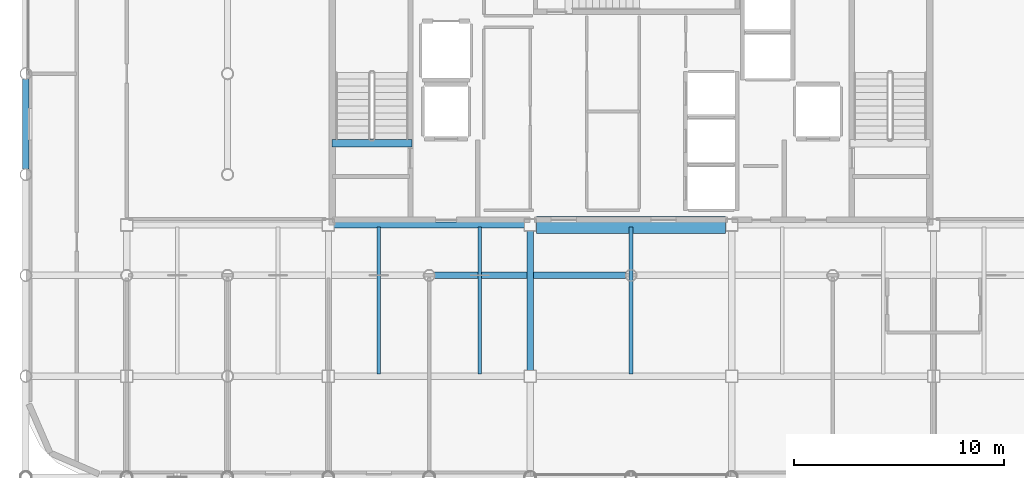
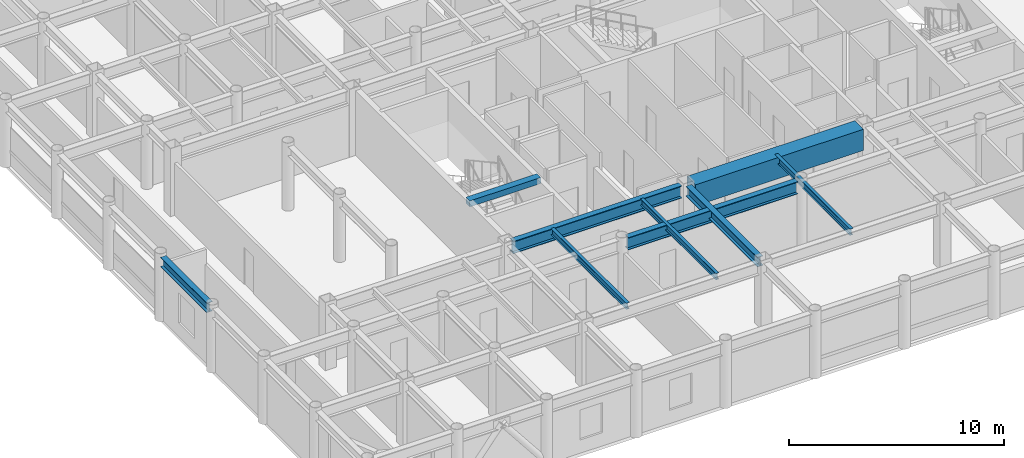
# One storey, part 5 of 22: 9 beams.
"""IFC4 building model written with IfcOpenShell, lengths in metres."""

import ifcopenshell
import ifcopenshell.guid

model = None  # the IFC model being written
_history = None  # IfcOwnerHistory: only IFC2X3 demands one
_inside = {}  # id of a spatial element -> (the spatial element, [elements in it])
_under = {}  # id of a project, library or spatial element -> (it, [spatial elements below it])
_declared = {}  # id of a project -> (the project, [libraries it declares])
_typed = {}  # id of a type object -> (the type object, [elements of that type])
_made_of = {}  # id of a material, layer set ... -> (it, [elements and type objects made of it])


def new_model(schema):
    """Start an empty IFC model of exactly this schema.

    Asked for "IFC4X3", IfcOpenShell would pick the latest addendum, in which some entities
    have other attributes; the version numbers below select the first issue.
    IFC2X3 requires an IfcOwnerHistory on every rooted entity: one is made here for all.
    """
    global model, _history
    if schema == "IFC4X3":
        model = ifcopenshell.file(schema_version=(4, 3, 0, 0))
    else:
        model = ifcopenshell.file(schema=schema)
    _inside.clear()
    _under.clear()
    _declared.clear()
    _typed.clear()
    _made_of.clear()
    _history = None
    if model.schema == "IFC2X3":
        org = make("IfcOrganization", Name="unknown")
        user = make(
            "IfcPersonAndOrganization",
            ThePerson=make("IfcPerson", FamilyName="unknown"),
            TheOrganization=org,
        )
        app = make(
            "IfcApplication",
            ApplicationDeveloper=org,
            Version="unknown",
            ApplicationFullName="unknown",
            ApplicationIdentifier="unknown",
        )
        _history = make(
            "IfcOwnerHistory",
            OwningUser=user,
            OwningApplication=app,
            ChangeAction="ADDED",
            CreationDate=0,
        )
    return model


def make(cls, **values):
    """One entity of the class cls with the attributes given. An attribute that is None is left unset."""
    return model.create_entity(
        cls, **{name: value for name, value in values.items() if value is not None}
    )


def rooted(cls, **values):
    """An entity with a GlobalId (a new one), such as an element, a storey or a relation."""
    return make(cls, GlobalId=ifcopenshell.guid.new(), OwnerHistory=_history, **values)


def si_unit(unit_type, name, prefix=None):
    """IfcSIUnit, for example si_unit("LENGTHUNIT", "METRE", prefix="MILLI")."""
    return make("IfcSIUnit", UnitType=unit_type, Prefix=prefix, Name=name)


def assignment(units):
    """IfcUnitAssignment: the units of a project."""
    return None if units is None else make("IfcUnitAssignment", Units=units)


def point(xyz):
    """IfcCartesianPoint."""
    return None if xyz is None else make("IfcCartesianPoint", Coordinates=xyz)


def direction(xyz):
    """IfcDirection."""
    return None if xyz is None else make("IfcDirection", DirectionRatios=xyz)


def frame(location, z_axis=None, x_axis=None):
    """IfcAxis2Placement3D, a coordinate frame: its origin and axes. An axis left out is left unset."""
    return make(
        "IfcAxis2Placement3D",
        Location=point(location),
        Axis=direction(z_axis),
        RefDirection=direction(x_axis),
    )


def frame_2d(location, x_axis=None):
    """IfcAxis2Placement2D, a coordinate frame in the plane: its origin and x axis."""
    return make(
        "IfcAxis2Placement2D", Location=point(location), RefDirection=direction(x_axis)
    )


def origin():
    """The frame at (0, 0, 0) with its axes left unset."""
    return frame((0.0, 0.0, 0.0))


def origin_2d():
    """The frame at (0, 0) in the plane with its x axis left unset."""
    return frame_2d((0.0, 0.0))


def place(relative_to, where):
    """IfcLocalPlacement: puts the frame where relative to a parent placement (None: the world)."""
    return make(
        "IfcLocalPlacement", PlacementRelTo=relative_to, RelativePlacement=where
    )


def context(
    kind, dimensions, precision=None, world=None, true_north=None, identifier=None
):
    """IfcGeometricRepresentationContext, for example the 3D "Model" context."""
    return make(
        "IfcGeometricRepresentationContext",
        ContextIdentifier=identifier,
        ContextType=kind,
        CoordinateSpaceDimension=dimensions,
        Precision=precision,
        WorldCoordinateSystem=world,
        TrueNorth=true_north,
    )


def subcontext(parent, identifier, kind, view, scale=None):
    """IfcGeometricRepresentationSubContext, for example "Body" below "Model"."""
    return make(
        "IfcGeometricRepresentationSubContext",
        ContextIdentifier=identifier,
        ContextType=kind,
        ParentContext=parent,
        TargetScale=scale,
        TargetView=view,
    )


def project(units=None, contexts=None):
    """IfcProject with its units and contexts."""
    return rooted(
        "IfcProject",
        Name="project",
        RepresentationContexts=contexts,
        UnitsInContext=assignment(units),
    )


def spatial(cls, under=None, at=None, **own):
    """A site, building, storey or space (cls), placed at a placement, below another one or the project."""
    s = rooted(cls, ObjectPlacement=at, **own)
    if under is not None:
        _under.setdefault(under.id(), (under, []))[1].append(s)
    return s


def profile(cls, at=None, kind="AREA", **sizes):
    """A parametric profile (cls). Its sizes go by their IFC names, for example OverallWidth=200.0."""
    return make(cls, ProfileType=kind, Position=at, **sizes)


def rectangle(**sizes):
    """IfcRectangleProfileDef."""
    return profile("IfcRectangleProfileDef", **sizes)


def i_section(**sizes):
    """IfcIShapeProfileDef."""
    return profile("IfcIShapeProfileDef", **sizes)


def extrude(swept, where, along, depth):
    """IfcExtrudedAreaSolid: the profile swept, set in the frame where, extruded along a direction by depth."""
    return make(
        "IfcExtrudedAreaSolid",
        SweptArea=swept,
        Position=where,
        ExtrudedDirection=direction(along),
        Depth=depth,
    )


def shape(context_of_items, identifier, shape_type, items):
    """IfcShapeRepresentation: the items that make up one representation, for example the "Body"."""
    return make(
        "IfcShapeRepresentation",
        ContextOfItems=context_of_items,
        RepresentationIdentifier=identifier,
        RepresentationType=shape_type,
        Items=items,
    )


def material(Name=None, Category=None):
    """IfcMaterial."""
    return make("IfcMaterial", Name=Name, Category=Category)


def material_profile(
    of_material, cross_section, Name=None, Category=None, Priority=None
):
    """IfcMaterialProfile: a cross section and its material."""
    return make(
        "IfcMaterialProfile",
        Name=Name,
        Material=of_material,
        Profile=cross_section,
        Priority=Priority,
        Category=Category,
    )


def profile_set(profiles, Name=None, composite=None):
    """IfcMaterialProfileSet."""
    return make(
        "IfcMaterialProfileSet",
        Name=Name,
        MaterialProfiles=profiles,
        CompositeProfile=composite,
    )


def made_of(thing, what):
    """Note that an element or type object is made of a material, layer set ...; save() writes the relation."""
    if what is not None:
        _made_of.setdefault(what.id(), (what, []))[1].append(thing)
    return thing


def type_object(cls, material=None, **own):
    """A type object (cls), such as IfcWallType, which elements share."""
    return made_of(rooted(cls, **own), material)


def element(
    cls,
    number,
    at=None,
    inside=None,
    cuts=None,
    type_object=None,
    material=None,
    context=None,
    identifier="Body",
    shape_type=None,
    held_by="IfcProductDefinitionShape",
    body=None,
    shapes=None,
    **own,
):
    """One element of the class cls, such as IfcWall. Its Tag is "e" and its number.

    at: its placement. inside: the storey or other place that contains it. cuts: it is an
    opening in that element (IfcRelVoidsElement). A single representation is given by context,
    identifier, shape_type and body (its items); several are given by shapes. held_by: the class
    of the entity that holds the representations. save() writes the other relations.
    """
    e = rooted(cls, Tag="e%d" % number, ObjectPlacement=at, **own)
    if body is not None:
        shapes = [shape(context, identifier, shape_type, body)]
    if shapes is not None:
        e.Representation = make(held_by, Representations=shapes)
    if inside is not None:
        _inside.setdefault(inside.id(), (inside, []))[1].append(e)
    if cuts is not None:
        rooted(
            "IfcRelVoidsElement", RelatingBuildingElement=cuts, RelatedOpeningElement=e
        )
    if type_object is not None:
        _typed.setdefault(type_object.id(), (type_object, []))[1].append(e)
    return made_of(e, material)


def aggregate(whole, parts):
    """IfcRelAggregates: a whole, such as a stair, and the parts it consists of."""
    return rooted("IfcRelAggregates", RelatingObject=whole, RelatedObjects=parts)


def save(model, path):
    """Write the relations noted so far, then the file.

    IfcRelAggregates (storeys below a building ...), IfcRelContainedInSpatialStructure (elements
    in a storey), IfcRelDefinesByType, IfcRelAssociatesMaterial and IfcRelDeclares: one each for
    every whole, place, type object, material and project.
    """
    for whole, parts in _under.values():
        aggregate(whole, parts)
    for where, things in _inside.values():
        rooted(
            "IfcRelContainedInSpatialStructure",
            RelatedElements=things,
            RelatingStructure=where,
        )
    for kind, things in _typed.values():
        rooted("IfcRelDefinesByType", RelatedObjects=things, RelatingType=kind)
    for what, things in _made_of.values():
        rooted("IfcRelAssociatesMaterial", RelatedObjects=things, RelatingMaterial=what)
    for by, libraries in _declared.values():
        rooted("IfcRelDeclares", RelatingContext=by, RelatedDefinitions=libraries)
    model.write(path)


model = new_model("IFC4")

# Units and contexts
model_context = context("Model", 3, precision=1e-05, world=origin(), true_north=direction((0.0, 1.0)))
body_context = subcontext(model_context, "Body", "Model", "MODEL_VIEW")
ifc_project = project(units=[si_unit("LENGTHUNIT", "METRE"), si_unit("AREAUNIT", "SQUARE_METRE"), si_unit("VOLUMEUNIT", "CUBIC_METRE"), si_unit("PLANEANGLEUNIT", "RADIAN"), si_unit("MASSUNIT", "GRAM", prefix="KILO")], contexts=[model_context])

# Site, building, storey
site_placement = place(None, origin())
site = spatial("IfcSite", under=ifc_project, at=site_placement, CompositionType="ELEMENT")
building_placement = place(site_placement, origin())
building = spatial("IfcBuilding", under=site, at=building_placement, Name="Kallvorn Hotel Tower", CompositionType="ELEMENT")
storey_placement = place(building_placement, frame((0.0, 0.0, 226.14990234375)))
storey = spatial("IfcBuildingStorey", under=building, at=storey_placement, Name="L56", CompositionType="ELEMENT", Elevation=226.14990234375)

# Beams
ifc_material_1 = material(Name="Structural steel S355JR", Category="steel")
ifc_material_profile_1 = material_profile(ifc_material_1, i_section(OverallWidth=0.300048828125, OverallDepth=0.550048828125, WebThickness=0.014892578125, FlangeThickness=0.029052734375, at=origin_2d()), Name="HE 550 B")
ifc_profile_set_1 = profile_set([ifc_material_profile_1], Name="Structural steel S355JR")
beam_type_1 = type_object("IfcBeamType", Name="BM_HE550B", PredefinedType="SPANDREL", material=ifc_profile_set_1)
beam_1_placement = place(storey_placement, frame((-28.800048828125, -4.54541015625, 3.39501953125), z_axis=(0.0, 1.0, 0.0), x_axis=(-1.0, 0.0, 0.0)))
element("IfcBeam", 1, at=beam_1_placement, inside=storey, type_object=beam_type_1, Name="L57 Primary Y-Girder 76", PredefinedType="SPANDREL", context=body_context, shape_type="SweptSolid", body=[
    extrude(i_section(OverallWidth=0.300048828125, OverallDepth=0.550048828125, WebThickness=0.014892578125, FlangeThickness=0.029052734375, at=origin_2d()), origin(), (0.0, 0.0, 1.0), 4.291015625),
])
beam_2_placement = place(storey_placement, frame((-4.800048828125, -14.125, 3.39501953125), z_axis=(0.0, 1.0, 0.0), x_axis=(-1.0, 0.0, 0.0)))
element("IfcBeam", 2, at=beam_2_placement, inside=storey, type_object=beam_type_1, Name="L57 Primary Y-Girder 106", PredefinedType="SPANDREL", context=body_context, shape_type="SweptSolid", body=[
    extrude(i_section(OverallWidth=0.300048828125, OverallDepth=0.550048828125, WebThickness=0.014892578125, FlangeThickness=0.029052734375, at=origin_2d()), origin(), (0.0, 0.0, 1.0), 6.64990234375),
])
ifc_material_2 = material(Name="Structural steel S355JR", Category="steel")
ifc_material_profile_2 = material_profile(ifc_material_2, i_section(OverallWidth=0.300048828125, OverallDepth=0.699951171875, WebThickness=0.01708984375, FlangeThickness=0.031982421875, at=origin_2d()), Name="HE 700 B")
ifc_profile_set_2 = profile_set([ifc_material_profile_2], Name="Structural steel S355JR")
beam_type_2 = type_object("IfcBeamType", Name="BM_HE700B", PredefinedType="BEAM", material=ifc_profile_set_2)
beam_3_placement = place(storey_placement, frame((-9.345458984375, -9.60009765625, 3.320068359375), z_axis=(1.0, 0.0, 0.0), x_axis=(0.0, 1.0, 0.0)))
element("IfcBeam", 3, at=beam_3_placement, inside=storey, type_object=beam_type_2, Name="L57 Primary X-Girder 26", PredefinedType="BEAM", context=body_context, shape_type="SweptSolid", body=[
    extrude(i_section(OverallWidth=0.300048828125, OverallDepth=0.699951171875, WebThickness=0.01708984375, FlangeThickness=0.031982421875, at=origin_2d()), origin(), (0.0, 0.0, 1.0), 9.091064453125),
])
beam_4_placement = place(storey_placement, frame((-14.125, -7.199951171875, 3.320068359375), z_axis=(1.0, 0.0, 0.0), x_axis=(0.0, 1.0, 0.0)))
element("IfcBeam", 4, at=beam_4_placement, inside=storey, type_object=beam_type_2, Name="L57 Primary X-Girder 33", PredefinedType="BEAM", context=body_context, shape_type="SweptSolid", body=[
    extrude(i_section(OverallWidth=0.300048828125, OverallDepth=0.699951171875, WebThickness=0.01708984375, FlangeThickness=0.031982421875, at=origin_2d()), origin(), (0.0, 0.0, 1.0), 9.050048828125),
])
ifc_material_3 = material(Name="Structural steel S355JR", Category="steel")
ifc_material_profile_3 = material_profile(ifc_material_3, i_section(OverallWidth=0.169921875, OverallDepth=0.360107421875, WebThickness=0.008056640625, FlangeThickness=0.0126953125, at=origin_2d()), Name="IPE 360")
ifc_profile_set_3 = profile_set([ifc_material_profile_3], Name="Structural steel S355JR")
beam_type_3 = type_object("IfcBeamType", Name="BM_IPE360", PredefinedType="JOIST", material=ifc_profile_set_3)
for number, where, z_axis, x_axis, name in (
    (5, (-12.0, -14.300048828125, 3.489990234375), (0.0, 1.0, 0.0), (-1.0, 0.0, 0.0), "L57 Secondary Composite Joist 196"),
    (6, (-7.199951171875, -14.300048828125, 3.489990234375), (0.0, 1.0, 0.0), (-1.0, 0.0, 0.0), "L57 Secondary Composite Joist 198"),
    (7, (0.0, -14.300048828125, 3.489990234375), (0.0, 1.0, 0.0), (-1.0, 0.0, 0.0), "L57 Secondary Composite Joist 200"),
):
    element("IfcBeam", number, at=place(storey_placement, frame(where, z_axis=z_axis, x_axis=x_axis)), inside=storey, type_object=beam_type_3, Name=name, PredefinedType="JOIST", context=body_context, shape_type="SweptSolid", body=[
        extrude(i_section(OverallWidth=0.169921875, OverallDepth=0.360107421875, WebThickness=0.008056640625, FlangeThickness=0.0126953125, at=origin_2d()), origin(), (0.0, 0.0, 1.0), 7.0),
    ])
ifc_material_4 = material(Name="Concrete C50/60", Category="concrete")
ifc_material_profile_4 = material_profile(ifc_material_4, rectangle(XDim=0.360107421875, YDim=0.340087890625, at=origin_2d()), Name="RC 360x340")
ifc_profile_set_4 = profile_set([ifc_material_profile_4], Name="Concrete C50/60")
beam_type_4 = type_object("IfcBeamType", Name="BM_RC_400x360", PredefinedType="BEAM", material=ifc_profile_set_4)
beam_5_placement = place(storey_placement, frame((-10.419921875, -3.31005859375, 3.5), z_axis=(-1.0, 0.0, 0.0), x_axis=(0.0, -1.0, 0.0)))
element("IfcBeam", 8, at=beam_5_placement, inside=storey, type_object=beam_type_4, Name="L57 Stair ST1 Arrival Trimmer Beam", PredefinedType="BEAM", context=body_context, shape_type="SweptSolid", body=[
    extrude(rectangle(XDim=0.360107421875, YDim=0.340087890625, at=origin_2d()), origin(), (0.0, 0.0, 1.0), 3.820068359375),
])
ifc_material_5 = material(Name="Concrete C50/60", Category="concrete")
ifc_material_profile_5 = material_profile(ifc_material_5, rectangle(XDim=0.800048828125, YDim=1.199951171875, at=origin_2d()), Name="RC 800x1200")
ifc_profile_set_5 = profile_set([ifc_material_profile_5], Name="Concrete C50/60")
beam_type_5 = type_object("IfcBeamType", Name="BM_RC_800x1200", PredefinedType="T_BEAM", material=ifc_profile_set_5)
beam_6_placement = place(storey_placement, frame((-4.5, -7.199951171875, 3.070068359375), z_axis=(1.0, 0.0, 0.0), x_axis=(0.0, 1.0, 0.0)))
element("IfcBeam", 9, at=beam_6_placement, inside=storey, type_object=beam_type_5, Name="L56 Core Coupling Beam South", PredefinedType="T_BEAM", context=body_context, shape_type="SweptSolid", body=[
    extrude(rectangle(XDim=0.800048828125, YDim=1.199951171875, at=origin_2d()), origin(), (0.0, 0.0, 1.0), 9.0),
])

save(model, "model.ifc")
